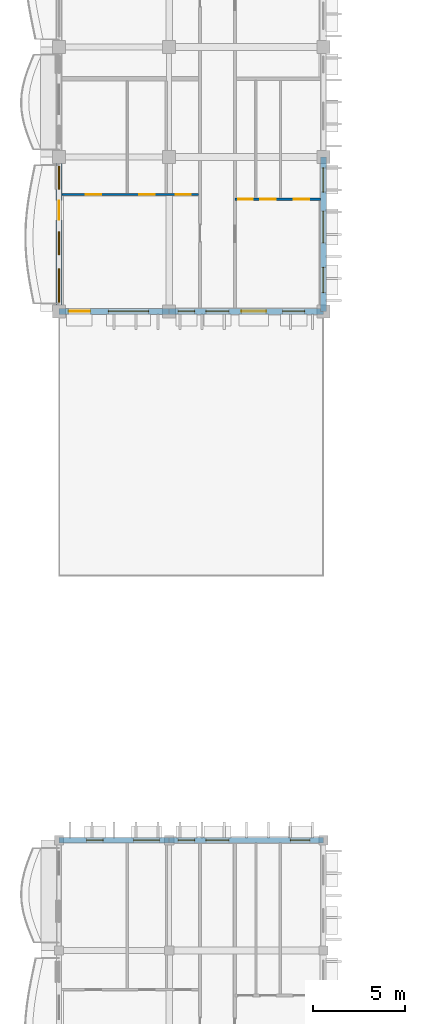
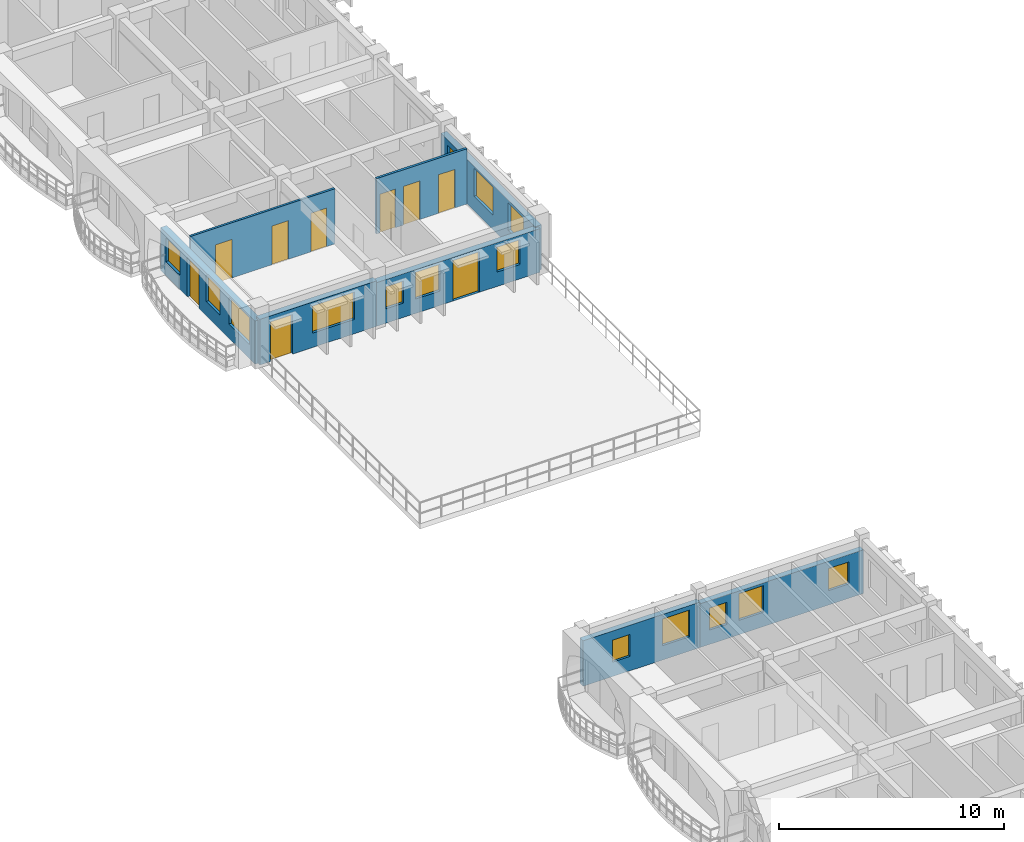
# One storey, part 19 of 66: 15 windows, 9 doors, 8 walls, 24 openings.
"""IFC4 building model written with IfcOpenShell, lengths in metres."""

from ifc_helpers import new_model, si_unit, direction, frame, frame_2d, origin, place, context, subcontext, project, spatial, rectangle, extrude, material, layer, layer_set, type_object, element, fill, save


model = new_model("IFC4")

# Units and contexts
model_context = context("Model", 3, precision=1e-05, world=origin(), true_north=direction((0.0, 1.0)))
body_context = subcontext(model_context, "Body", "Model", "MODEL_VIEW")
ifc_project = project(units=[si_unit("LENGTHUNIT", "METRE"), si_unit("AREAUNIT", "SQUARE_METRE"), si_unit("VOLUMEUNIT", "CUBIC_METRE"), si_unit("PLANEANGLEUNIT", "RADIAN"), si_unit("MASSUNIT", "GRAM", prefix="KILO"), si_unit("THERMODYNAMICTEMPERATUREUNIT", "KELVIN")], contexts=[model_context])

# Site, building, storey
site_placement = place(None, origin())
site = spatial("IfcSite", under=ifc_project, at=site_placement, CompositionType="ELEMENT")
building_placement = place(site_placement, origin())
building = spatial("IfcBuilding", under=site, at=building_placement, Name="Thalorik Housing Commons", CompositionType="ELEMENT")
storey_placement = place(building_placement, frame((0.0, 0.0, 21.300048828125)))
storey = spatial("IfcBuildingStorey", under=building, at=storey_placement, Name="L06", CompositionType="ELEMENT", Elevation=21.300048828125)

# Wall, openings, windows
ifc_material_1 = material(Name="White precast concrete C40/50", Category="concrete")
ifc_layer_1 = layer(ifc_material_1, 0.2900390625, Name="White precast concrete C40/50", Category="concrete")
ifc_layer_set_1 = layer_set([ifc_layer_1], Name="White precast concrete C40/50")
wall_type_1 = type_object("IfcWallType", Name="ARC-WAL-EXT-290", PredefinedType="STANDARD", material=ifc_layer_set_1)
wall_1_placement = place(storey_placement, frame((22.800048828125, 57.60009765625, 0.0), z_axis=(0.0, 0.0, 1.0), x_axis=(-1.0, 0.0, 0.0)))
wall_1 = element("IfcWall", 1, at=wall_1_placement, inside=storey, type_object=wall_type_1, Name="L06 Exterior Wall WAL-EXT-L06-C-0994", PredefinedType="STANDARD", context=body_context, shape_type="SweptSolid", body=[
    extrude(rectangle(XDim=8.400146484375, YDim=0.2900390625, at=frame_2d((4.2001953125, 0.0))), origin(), (0.0, 0.0, 1.0), 2.375),
])
opening_1_placement = place(wall_1_placement, frame((0.742431640625, 0.0, 0.780029296875)))
opening_1 = element("IfcOpeningElement", 2, at=opening_1_placement, cuts=wall_1, Name="Opening W-44", PredefinedType="OPENING", context=body_context, shape_type="SweptSolid", body=[
    extrude(rectangle(XDim=1.050048828125, YDim=1.199951171875, at=frame_2d((0.52490234375, 0.60009765625))), frame((0.0, 0.155029296875, 0.0), z_axis=(0.0, -1.0, 0.0), x_axis=(1.0, 0.0, 0.0)), (0.0, 0.0, 1.0), 0.31005859375),
])
opening_2_placement = place(wall_1_placement, frame((5.14501953125, 0.0, 0.780029296875)))
opening_2 = element("IfcOpeningElement", 3, at=opening_2_placement, cuts=wall_1, Name="Opening W-47", PredefinedType="OPENING", context=body_context, shape_type="SweptSolid", body=[
    extrude(rectangle(XDim=1.25, YDim=1.449951171875, at=frame_2d((0.625, 0.72509765625))), frame((0.0, 0.155029296875, 0.0), z_axis=(0.0, -1.0, 0.0), x_axis=(1.0, 0.0, 0.0)), (0.0, 0.0, 1.0), 0.31005859375),
])
opening_3_placement = place(wall_1_placement, frame((7.014892578125, 0.0, 0.780029296875)))
opening_3 = element("IfcOpeningElement", 4, at=opening_3_placement, cuts=wall_1, Name="Opening W-01", PredefinedType="OPENING", context=body_context, shape_type="SweptSolid", body=[
    extrude(rectangle(XDim=0.89990234375, YDim=1.199951171875, at=frame_2d((0.449951171875, 0.60009765625))), frame((0.0, 0.155029296875, 0.0), z_axis=(0.0, -1.0, 0.0), x_axis=(1.0, 0.0, 0.0)), (0.0, 0.0, 1.0), 0.31005859375),
])
ifc_material_2 = material(Name="Anodised aluminium and solar-control low-E glass", Category="aluminium")
window_type_1 = type_object("IfcWindowType", Name="ARC-WIN-01", PartitioningType="SINGLE_PANEL", PredefinedType="WINDOW", material=ifc_material_2)
window_1_placement = place(opening_3_placement, origin())
window_1 = element("IfcWindow", 5, at=window_1_placement, inside=storey, type_object=window_type_1, Name="L06 Facade Window 1839", OverallHeight=1.199951171875, OverallWidth=0.89990234375, PartitioningType="SINGLE_PANEL", PredefinedType="WINDOW", context=body_context, shape_type="SweptSolid", body=[
    extrude(rectangle(XDim=0.89990234375, YDim=1.199951171875, at=frame_2d((0.449951171875, 0.60009765625))), frame((0.0, 0.030029296875, 0.0), z_axis=(0.0, -1.0, 0.0), x_axis=(1.0, 0.0, 0.0)), (0.0, 0.0, 1.0), 0.06005859375),
])
fill(opening_3, window_1)
window_type_2 = type_object("IfcWindowType", Name="ARC-WIN-44", PartitioningType="SINGLE_PANEL", PredefinedType="WINDOW", material=ifc_material_2)
window_2_placement = place(opening_1_placement, origin())
window_2 = element("IfcWindow", 6, at=window_2_placement, inside=storey, type_object=window_type_2, Name="L06 Facade Window 1837", OverallHeight=1.199951171875, OverallWidth=1.050048828125, PartitioningType="SINGLE_PANEL", PredefinedType="WINDOW", context=body_context, shape_type="SweptSolid", body=[
    extrude(rectangle(XDim=1.050048828125, YDim=1.199951171875, at=frame_2d((0.52490234375, 0.60009765625))), frame((0.0, 0.030029296875, 0.0), z_axis=(0.0, -1.0, 0.0), x_axis=(1.0, 0.0, 0.0)), (0.0, 0.0, 1.0), 0.06005859375),
])
fill(opening_1, window_2)
window_type_3 = type_object("IfcWindowType", Name="ARC-WIN-47", PartitioningType="SINGLE_PANEL", PredefinedType="WINDOW", material=ifc_material_2)
window_3_placement = place(opening_2_placement, origin())
window_3 = element("IfcWindow", 7, at=window_3_placement, inside=storey, type_object=window_type_3, Name="L06 Facade Window 1838", OverallHeight=1.449951171875, OverallWidth=1.25, PartitioningType="SINGLE_PANEL", PredefinedType="WINDOW", context=body_context, shape_type="SweptSolid", body=[
    extrude(rectangle(XDim=1.25, YDim=1.449951171875, at=frame_2d((0.625, 0.72509765625))), frame((0.0, 0.030029296875, 0.0), z_axis=(0.0, -1.0, 0.0), x_axis=(1.0, 0.0, 0.0)), (0.0, 0.0, 1.0), 0.06005859375),
])
fill(opening_2, window_3)

wall_2_placement = place(storey_placement, frame((14.39990234375, 57.60009765625, 0.0), z_axis=(0.0, 0.0, 1.0), x_axis=(-1.0, 0.0, 0.0)))
wall_2 = element("IfcWall", 8, at=wall_2_placement, inside=storey, type_object=wall_type_1, Name="L06 Exterior Wall WAL-EXT-L06-C-0995", PredefinedType="STANDARD", context=body_context, shape_type="SweptSolid", body=[
    extrude(rectangle(XDim=6.0, YDim=0.2900390625, at=frame_2d((3.0, 0.0))), origin(), (0.0, 0.0, 1.0), 2.474853515625),
])
opening_4_placement = place(wall_2_placement, frame((0.5361328125, 0.0, 0.780029296875)))
opening_4 = element("IfcOpeningElement", 9, at=opening_4_placement, cuts=wall_2, Name="Opening W-08", PredefinedType="OPENING", context=body_context, shape_type="SweptSolid", body=[
    extrude(rectangle(XDim=1.39990234375, YDim=1.449951171875, at=frame_2d((0.699951171875, 0.72509765625))), frame((0.0, 0.155029296875, 0.0), z_axis=(0.0, -1.0, 0.0), x_axis=(1.0, 0.0, 0.0)), (0.0, 0.0, 1.0), 0.31005859375),
])
opening_5_placement = place(wall_2_placement, frame((3.59619140625, 0.0, 0.780029296875)))
opening_5 = element("IfcOpeningElement", 10, at=opening_5_placement, cuts=wall_2, Name="Opening W-01", PredefinedType="OPENING", context=body_context, shape_type="SweptSolid", body=[
    extrude(rectangle(XDim=0.89990234375, YDim=1.199951171875, at=frame_2d((0.449951171875, 0.60009765625))), frame((0.0, 0.155029296875, 0.0), z_axis=(0.0, -1.0, 0.0), x_axis=(1.0, 0.0, 0.0)), (0.0, 0.0, 1.0), 0.31005859375),
])
window_4_placement = place(opening_5_placement, origin())
window_4 = element("IfcWindow", 11, at=window_4_placement, inside=storey, type_object=window_type_1, Name="L06 Facade Window 1841", OverallHeight=1.199951171875, OverallWidth=0.89990234375, PartitioningType="SINGLE_PANEL", PredefinedType="WINDOW", context=body_context, shape_type="SweptSolid", body=[
    extrude(rectangle(XDim=0.89990234375, YDim=1.199951171875, at=frame_2d((0.449951171875, 0.60009765625))), frame((0.0, 0.030029296875, 0.0), z_axis=(0.0, -1.0, 0.0), x_axis=(1.0, 0.0, 0.0)), (0.0, 0.0, 1.0), 0.06005859375),
])
fill(opening_5, window_4)
window_type_4 = type_object("IfcWindowType", Name="ARC-WIN-08", PartitioningType="SINGLE_PANEL", PredefinedType="WINDOW", material=ifc_material_2)
window_5_placement = place(opening_4_placement, origin())
window_5 = element("IfcWindow", 12, at=window_5_placement, inside=storey, type_object=window_type_4, Name="L06 Facade Window 1840", OverallHeight=1.449951171875, OverallWidth=1.39990234375, PartitioningType="SINGLE_PANEL", PredefinedType="WINDOW", context=body_context, shape_type="SweptSolid", body=[
    extrude(rectangle(XDim=1.39990234375, YDim=1.449951171875, at=frame_2d((0.699951171875, 0.72509765625))), frame((0.0, 0.030029296875, 0.0), z_axis=(0.0, -1.0, 0.0), x_axis=(1.0, 0.0, 0.0)), (0.0, 0.0, 1.0), 0.06005859375),
])
fill(opening_4, window_5)

# Wall, openings, door, windows
ifc_layer_2 = layer(ifc_material_1, 0.320068359375, Name="White precast concrete C40/50", Category="concrete")
ifc_layer_set_2 = layer_set([ifc_layer_2], Name="White precast concrete C40/50")
wall_type_2 = type_object("IfcWallType", Name="ARC-WAL-EXT-320", PredefinedType="STANDARD", material=ifc_layer_set_2)
wall_3_placement = place(storey_placement, frame((8.39990234375, 94.800048828125, 0.0), z_axis=(0.0, 0.0, 1.0), x_axis=(0.0, -1.0, 0.0)))
wall_3 = element("IfcWall", 13, at=wall_3_placement, inside=storey, type_object=wall_type_2, Name="L06 Exterior Wall WAL-EXT-L06-A-0185", PredefinedType="STANDARD", context=body_context, shape_type="SweptSolid", body=[
    extrude(rectangle(XDim=8.400146484375, YDim=0.320068359375, at=frame_2d((4.2001953125, 0.0))), origin(), (0.0, 0.0, 1.0), 2.344970703125),
])
opening_6_placement = place(wall_3_placement, frame((2.364990234375, 0.0, 0.0)))
opening_6 = element("IfcOpeningElement", 14, at=opening_6_placement, cuts=wall_3, Name="Opening ED-0058", PredefinedType="OPENING", context=body_context, shape_type="SweptSolid", body=[
    extrude(rectangle(XDim=1.050048828125, YDim=2.14990234375, at=frame_2d((0.52490234375, 1.074951171875))), frame((0.0, 0.169921875, 0.0), z_axis=(0.0, -1.0, 0.0), x_axis=(1.0, 0.0, 0.0)), (0.0, 0.0, 1.0), 0.340087890625),
])
opening_7_placement = place(wall_3_placement, frame((0.487548828125, 0.0, 0.780029296875)))
opening_7 = element("IfcOpeningElement", 15, at=opening_7_placement, cuts=wall_3, Name="Opening W-46", PredefinedType="OPENING", context=body_context, shape_type="SweptSolid", body=[
    extrude(rectangle(XDim=1.25, YDim=1.300048828125, at=frame_2d((0.625, 0.64990234375))), frame((0.0, 0.169921875, 0.0), z_axis=(0.0, -1.0, 0.0), x_axis=(1.0, 0.0, 0.0)), (0.0, 0.0, 1.0), 0.340087890625),
])
opening_8_placement = place(wall_3_placement, frame((4.061279296875, 0.0, 0.780029296875)))
opening_8 = element("IfcOpeningElement", 16, at=opening_8_placement, cuts=wall_3, Name="Opening W-47", PredefinedType="OPENING", context=body_context, shape_type="SweptSolid", body=[
    extrude(rectangle(XDim=1.25, YDim=1.449951171875, at=frame_2d((0.625, 0.72509765625))), frame((0.0, 0.169921875, 0.0), z_axis=(0.0, -1.0, 0.0), x_axis=(1.0, 0.0, 0.0)), (0.0, 0.0, 1.0), 0.340087890625),
])
opening_9_placement = place(wall_3_placement, frame((6.07861328125, 0.0, 0.780029296875)))
opening_9 = element("IfcOpeningElement", 17, at=opening_9_placement, cuts=wall_3, Name="Opening W-58", PredefinedType="OPENING", context=body_context, shape_type="SweptSolid", body=[
    extrude(rectangle(XDim=1.820068359375, YDim=1.4599609375, at=frame_2d((0.91015625, 0.72998046875))), frame((0.0, 0.169921875, 0.0), z_axis=(0.0, -1.0, 0.0), x_axis=(1.0, 0.0, 0.0)), (0.0, 0.0, 1.0), 0.340087890625),
])
ifc_material_3 = material(Name="Anodised aluminium and laminated safety glass", Category="aluminium")
door_type_1 = type_object("IfcDoorType", Name="ARC-DR-BAL-1050", OperationType="NOTDEFINED", PredefinedType="DOOR", material=ifc_material_3)
door_1_placement = place(opening_6_placement, frame((1.050048828125, 0.0, 0.0), z_axis=(0.0, 0.0, 1.0), x_axis=(-1.0, 0.0, 0.0)))
door_1 = element("IfcDoor", 18, at=door_1_placement, inside=storey, type_object=door_type_1, Name="L06 Block A Balcony Glazed Door", OperationType="SINGLE_SWING_LEFT", OverallHeight=2.14990234375, OverallWidth=1.050048828125, PredefinedType="DOOR", context=body_context, shape_type="SweptSolid", body=[
    extrude(rectangle(XDim=1.050048828125, YDim=2.14990234375, at=frame_2d((0.52490234375, 1.074951171875))), frame((0.0, 0.02490234375, 0.0), z_axis=(0.0, -1.0, 0.0), x_axis=(1.0, 0.0, 0.0)), (0.0, 0.0, 1.0), 0.050048828125),
])
fill(opening_6, door_1)
window_type_5 = type_object("IfcWindowType", Name="ARC-WIN-46", PartitioningType="SINGLE_PANEL", PredefinedType="WINDOW", material=ifc_material_2)
window_6_placement = place(opening_7_placement, origin())
window_6 = element("IfcWindow", 19, at=window_6_placement, inside=storey, type_object=window_type_5, Name="L06 Facade Window 330", OverallHeight=1.300048828125, OverallWidth=1.25, PartitioningType="SINGLE_PANEL", PredefinedType="WINDOW", context=body_context, shape_type="SweptSolid", body=[
    extrude(rectangle(XDim=1.25, YDim=1.300048828125, at=frame_2d((0.625, 0.64990234375))), frame((0.0, 0.030029296875, 0.0), z_axis=(0.0, -1.0, 0.0), x_axis=(1.0, 0.0, 0.0)), (0.0, 0.0, 1.0), 0.06005859375),
])
fill(opening_7, window_6)
window_7_placement = place(opening_8_placement, origin())
window_7 = element("IfcWindow", 20, at=window_7_placement, inside=storey, type_object=window_type_3, Name="L06 Facade Window 331", OverallHeight=1.449951171875, OverallWidth=1.25, PartitioningType="SINGLE_PANEL", PredefinedType="WINDOW", context=body_context, shape_type="SweptSolid", body=[
    extrude(rectangle(XDim=1.25, YDim=1.449951171875, at=frame_2d((0.625, 0.72509765625))), frame((0.0, 0.030029296875, 0.0), z_axis=(0.0, -1.0, 0.0), x_axis=(1.0, 0.0, 0.0)), (0.0, 0.0, 1.0), 0.06005859375),
])
fill(opening_8, window_7)
window_type_6 = type_object("IfcWindowType", Name="ARC-WIN-58", PartitioningType="DOUBLE_PANEL_VERTICAL", PredefinedType="WINDOW", material=ifc_material_2)
window_8_placement = place(opening_9_placement, origin())
window_8 = element("IfcWindow", 21, at=window_8_placement, inside=storey, type_object=window_type_6, Name="L06 Facade Window 332", OverallHeight=1.4599609375, OverallWidth=1.820068359375, PartitioningType="DOUBLE_PANEL_VERTICAL", PredefinedType="WINDOW", context=body_context, shape_type="SweptSolid", body=[
    extrude(rectangle(XDim=1.820068359375, YDim=1.4599609375, at=frame_2d((0.91015625, 0.72998046875))), frame((0.0, 0.030029296875, 0.0), z_axis=(0.0, -1.0, 0.0), x_axis=(1.0, 0.0, 0.0)), (0.0, 0.0, 1.0), 0.06005859375),
])
fill(opening_9, window_8)

# Wall, openings, door, window
wall_4_placement = place(storey_placement, frame((8.39990234375, 86.39990234375, 0.0), z_axis=(0.0, 0.0, 1.0), x_axis=(1.0, 0.0, 0.0)))
wall_4 = element("IfcWall", 22, at=wall_4_placement, inside=storey, type_object=wall_type_2, Name="L06 Exterior Wall WAL-EXT-L06-A-0186", PredefinedType="STANDARD", context=body_context, shape_type="SweptSolid", body=[
    extrude(rectangle(XDim=6.0, YDim=0.320068359375, at=frame_2d((3.0, 0.0))), origin(), (0.0, 0.0, 1.0), 2.474853515625),
])
opening_10_placement = place(wall_4_placement, frame((0.5400390625, 0.0, 0.0)))
opening_10 = element("IfcOpeningElement", 23, at=opening_10_placement, cuts=wall_4, Name="Opening ED-0059", PredefinedType="OPENING", context=body_context, shape_type="SweptSolid", body=[
    extrude(rectangle(XDim=1.14990234375, YDim=2.14990234375, at=frame_2d((0.574951171875, 1.074951171875))), frame((0.0, 0.169921875, 0.0), z_axis=(0.0, -1.0, 0.0), x_axis=(1.0, 0.0, 0.0)), (0.0, 0.0, 1.0), 0.340087890625),
])
opening_11_placement = place(wall_4_placement, frame((2.695068359375, 0.0, 0.780029296875)))
opening_11 = element("IfcOpeningElement", 24, at=opening_11_placement, cuts=wall_4, Name="Opening W-65", PredefinedType="OPENING", context=body_context, shape_type="SweptSolid", body=[
    extrude(rectangle(XDim=2.179931640625, YDim=1.47998046875, at=frame_2d((1.08984375, 0.739990234375))), frame((0.0, 0.169921875, 0.0), z_axis=(0.0, -1.0, 0.0), x_axis=(1.0, 0.0, 0.0)), (0.0, 0.0, 1.0), 0.340087890625),
])
door_type_2 = type_object("IfcDoorType", Name="ARC-DR-TERR-1150", OperationType="NOTDEFINED", PredefinedType="DOOR", material=ifc_material_3)
door_2_placement = place(opening_10_placement, frame((1.14990234375, 0.0, 0.0), z_axis=(0.0, 0.0, 1.0), x_axis=(-1.0, 0.0, 0.0)))
door_2 = element("IfcDoor", 25, at=door_2_placement, inside=storey, type_object=door_type_2, Name="L06 Block A L06 South Sky-Garden Terrace Access Door", OperationType="SINGLE_SWING_RIGHT", OverallHeight=2.14990234375, OverallWidth=1.14990234375, PredefinedType="DOOR", context=body_context, shape_type="SweptSolid", body=[
    extrude(rectangle(XDim=1.14990234375, YDim=2.14990234375, at=frame_2d((0.574951171875, 1.074951171875))), frame((0.0, 0.02490234375, 0.0), z_axis=(0.0, -1.0, 0.0), x_axis=(1.0, 0.0, 0.0)), (0.0, 0.0, 1.0), 0.050048828125),
])
fill(opening_10, door_2)
window_type_7 = type_object("IfcWindowType", Name="ARC-WIN-65", PartitioningType="DOUBLE_PANEL_VERTICAL", PredefinedType="WINDOW", material=ifc_material_2)
window_9_placement = place(opening_11_placement, origin())
window_9 = element("IfcWindow", 26, at=window_9_placement, inside=storey, type_object=window_type_7, Name="L06 Facade Window 333", OverallHeight=1.47998046875, OverallWidth=2.179931640625, PartitioningType="DOUBLE_PANEL_VERTICAL", PredefinedType="WINDOW", context=body_context, shape_type="SweptSolid", body=[
    extrude(rectangle(XDim=2.179931640625, YDim=1.47998046875, at=frame_2d((1.08984375, 0.739990234375))), frame((0.0, 0.030029296875, 0.0), z_axis=(0.0, -1.0, 0.0), x_axis=(1.0, 0.0, 0.0)), (0.0, 0.0, 1.0), 0.06005859375),
])
fill(opening_11, window_9)

# Wall, openings, door, windows
wall_5_placement = place(storey_placement, frame((14.39990234375, 86.39990234375, 0.0), z_axis=(0.0, 0.0, 1.0), x_axis=(1.0, 0.0, 0.0)))
wall_5 = element("IfcWall", 27, at=wall_5_placement, inside=storey, type_object=wall_type_2, Name="L06 Exterior Wall WAL-EXT-L06-A-0187", PredefinedType="STANDARD", context=body_context, shape_type="SweptSolid", body=[
    extrude(rectangle(XDim=8.400146484375, YDim=0.320068359375, at=frame_2d((4.2001953125, 0.0))), origin(), (0.0, 0.0, 1.0), 2.375),
])
opening_12_placement = place(wall_5_placement, frame((3.929931640625, 0.0, 0.0)))
opening_12 = element("IfcOpeningElement", 28, at=opening_12_placement, cuts=wall_5, Name="Opening ED-0060", PredefinedType="OPENING", context=body_context, shape_type="SweptSolid", body=[
    extrude(rectangle(XDim=1.35009765625, YDim=2.199951171875, at=frame_2d((0.675048828125, 1.10009765625))), frame((0.0, 0.169921875, 0.0), z_axis=(0.0, -1.0, 0.0), x_axis=(1.0, 0.0, 0.0)), (0.0, 0.0, 1.0), 0.340087890625),
])
opening_13_placement = place(wall_5_placement, frame((6.179931640625, 0.0, 0.780029296875)))
opening_13 = element("IfcOpeningElement", 29, at=opening_13_placement, cuts=wall_5, Name="Opening W-04", PredefinedType="OPENING", context=body_context, shape_type="SweptSolid", body=[
    extrude(rectangle(XDim=1.199951171875, YDim=1.35009765625, at=frame_2d((0.60009765625, 0.675048828125))), frame((0.0, 0.169921875, 0.0), z_axis=(0.0, -1.0, 0.0), x_axis=(1.0, 0.0, 0.0)), (0.0, 0.0, 1.0), 0.340087890625),
])
opening_14_placement = place(wall_5_placement, frame((0.485107421875, 0.0, 0.780029296875)))
opening_14 = element("IfcOpeningElement", 30, at=opening_14_placement, cuts=wall_5, Name="Opening W-01", PredefinedType="OPENING", context=body_context, shape_type="SweptSolid", body=[
    extrude(rectangle(XDim=0.89990234375, YDim=1.199951171875, at=frame_2d((0.449951171875, 0.60009765625))), frame((0.0, 0.169921875, 0.0), z_axis=(0.0, -1.0, 0.0), x_axis=(1.0, 0.0, 0.0)), (0.0, 0.0, 1.0), 0.340087890625),
])
opening_15_placement = place(wall_5_placement, frame((2.0048828125, 0.0, 0.780029296875)))
opening_15 = element("IfcOpeningElement", 31, at=opening_15_placement, cuts=wall_5, Name="Opening W-47", PredefinedType="OPENING", context=body_context, shape_type="SweptSolid", body=[
    extrude(rectangle(XDim=1.25, YDim=1.449951171875, at=frame_2d((0.625, 0.72509765625))), frame((0.0, 0.169921875, 0.0), z_axis=(0.0, -1.0, 0.0), x_axis=(1.0, 0.0, 0.0)), (0.0, 0.0, 1.0), 0.340087890625),
])
door_type_3 = type_object("IfcDoorType", Name="ARC-DR-TERR-1350", OperationType="NOTDEFINED", PredefinedType="DOOR", material=ifc_material_3)
door_3_placement = place(opening_12_placement, frame((1.35009765625, 0.0, 0.0), z_axis=(0.0, 0.0, 1.0), x_axis=(-1.0, 0.0, 0.0)))
door_3 = element("IfcDoor", 32, at=door_3_placement, inside=storey, type_object=door_type_3, Name="L06 Block A L06 South Sky-Garden Terrace Access Door", OperationType="SINGLE_SWING_LEFT", OverallHeight=2.199951171875, OverallWidth=1.35009765625, PredefinedType="DOOR", context=body_context, shape_type="SweptSolid", body=[
    extrude(rectangle(XDim=1.35009765625, YDim=2.199951171875, at=frame_2d((0.675048828125, 1.10009765625))), frame((0.0, 0.02490234375, 0.0), z_axis=(0.0, -1.0, 0.0), x_axis=(1.0, 0.0, 0.0)), (0.0, 0.0, 1.0), 0.050048828125),
])
fill(opening_12, door_3)
window_10_placement = place(opening_14_placement, origin())
window_10 = element("IfcWindow", 33, at=window_10_placement, inside=storey, type_object=window_type_1, Name="L06 Facade Window 335", OverallHeight=1.199951171875, OverallWidth=0.89990234375, PartitioningType="SINGLE_PANEL", PredefinedType="WINDOW", context=body_context, shape_type="SweptSolid", body=[
    extrude(rectangle(XDim=0.89990234375, YDim=1.199951171875, at=frame_2d((0.449951171875, 0.60009765625))), frame((0.0, 0.030029296875, 0.0), z_axis=(0.0, -1.0, 0.0), x_axis=(1.0, 0.0, 0.0)), (0.0, 0.0, 1.0), 0.06005859375),
])
fill(opening_14, window_10)
window_type_8 = type_object("IfcWindowType", Name="ARC-WIN-04", PartitioningType="SINGLE_PANEL", PredefinedType="WINDOW", material=ifc_material_2)
window_11_placement = place(opening_13_placement, origin())
window_11 = element("IfcWindow", 34, at=window_11_placement, inside=storey, type_object=window_type_8, Name="L06 Facade Window 334", OverallHeight=1.35009765625, OverallWidth=1.199951171875, PartitioningType="SINGLE_PANEL", PredefinedType="WINDOW", context=body_context, shape_type="SweptSolid", body=[
    extrude(rectangle(XDim=1.199951171875, YDim=1.35009765625, at=frame_2d((0.60009765625, 0.675048828125))), frame((0.0, 0.030029296875, 0.0), z_axis=(0.0, -1.0, 0.0), x_axis=(1.0, 0.0, 0.0)), (0.0, 0.0, 1.0), 0.06005859375),
])
fill(opening_13, window_11)
window_12_placement = place(opening_15_placement, origin())
window_12 = element("IfcWindow", 35, at=window_12_placement, inside=storey, type_object=window_type_3, Name="L06 Facade Window 336", OverallHeight=1.449951171875, OverallWidth=1.25, PartitioningType="SINGLE_PANEL", PredefinedType="WINDOW", context=body_context, shape_type="SweptSolid", body=[
    extrude(rectangle(XDim=1.25, YDim=1.449951171875, at=frame_2d((0.625, 0.72509765625))), frame((0.0, 0.030029296875, 0.0), z_axis=(0.0, -1.0, 0.0), x_axis=(1.0, 0.0, 0.0)), (0.0, 0.0, 1.0), 0.06005859375),
])
fill(opening_15, window_12)

# Wall, openings, windows
wall_6_placement = place(storey_placement, frame((22.800048828125, 86.39990234375, 0.0), z_axis=(0.0, 0.0, 1.0), x_axis=(0.0, 1.0, 0.0)))
wall_6 = element("IfcWall", 36, at=wall_6_placement, inside=storey, type_object=wall_type_2, Name="L06 Exterior Wall WAL-EXT-L06-A-0188", PredefinedType="STANDARD", context=body_context, shape_type="SweptSolid", body=[
    extrude(rectangle(XDim=8.400146484375, YDim=0.320068359375, at=frame_2d((4.2001953125, 0.0))), origin(), (0.0, 0.0, 1.0), 2.425048828125),
])
opening_16_placement = place(wall_6_placement, frame((1.015625, 0.0, 0.780029296875)))
opening_16 = element("IfcOpeningElement", 37, at=opening_16_placement, cuts=wall_6, Name="Opening W-49", PredefinedType="OPENING", context=body_context, shape_type="SweptSolid", body=[
    extrude(rectangle(XDim=1.3798828125, YDim=1.47998046875, at=frame_2d((0.68994140625, 0.739990234375))), frame((0.0, 0.169921875, 0.0), z_axis=(0.0, -1.0, 0.0), x_axis=(1.0, 0.0, 0.0)), (0.0, 0.0, 1.0), 0.340087890625),
])
opening_17_placement = place(wall_6_placement, frame((3.737060546875, 0.0, 0.780029296875)))
opening_17 = element("IfcOpeningElement", 38, at=opening_17_placement, cuts=wall_6, Name="Opening W-56", PredefinedType="OPENING", context=body_context, shape_type="SweptSolid", body=[
    extrude(rectangle(XDim=1.719970703125, YDim=1.52001953125, at=frame_2d((0.85986328125, 0.760009765625))), frame((0.0, 0.169921875, 0.0), z_axis=(0.0, -1.0, 0.0), x_axis=(1.0, 0.0, 0.0)), (0.0, 0.0, 1.0), 0.340087890625),
])
opening_18_placement = place(wall_6_placement, frame((6.50146484375, 0.0, 0.780029296875)))
opening_18 = element("IfcOpeningElement", 39, at=opening_18_placement, cuts=wall_6, Name="Opening W-48", PredefinedType="OPENING", context=body_context, shape_type="SweptSolid", body=[
    extrude(rectangle(XDim=1.320068359375, YDim=1.35009765625, at=frame_2d((0.66015625, 0.675048828125))), frame((0.0, 0.169921875, 0.0), z_axis=(0.0, -1.0, 0.0), x_axis=(1.0, 0.0, 0.0)), (0.0, 0.0, 1.0), 0.340087890625),
])
window_type_9 = type_object("IfcWindowType", Name="ARC-WIN-48", PartitioningType="SINGLE_PANEL", PredefinedType="WINDOW", material=ifc_material_2)
window_13_placement = place(opening_18_placement, origin())
window_13 = element("IfcWindow", 40, at=window_13_placement, inside=storey, type_object=window_type_9, Name="L06 Facade Window 339", OverallHeight=1.35009765625, OverallWidth=1.320068359375, PartitioningType="SINGLE_PANEL", PredefinedType="WINDOW", context=body_context, shape_type="SweptSolid", body=[
    extrude(rectangle(XDim=1.320068359375, YDim=1.35009765625, at=frame_2d((0.66015625, 0.675048828125))), frame((0.0, 0.030029296875, 0.0), z_axis=(0.0, -1.0, 0.0), x_axis=(1.0, 0.0, 0.0)), (0.0, 0.0, 1.0), 0.06005859375),
])
fill(opening_18, window_13)
window_type_10 = type_object("IfcWindowType", Name="ARC-WIN-49", PartitioningType="SINGLE_PANEL", PredefinedType="WINDOW", material=ifc_material_2)
window_14_placement = place(opening_16_placement, origin())
window_14 = element("IfcWindow", 41, at=window_14_placement, inside=storey, type_object=window_type_10, Name="L06 Facade Window 337", OverallHeight=1.47998046875, OverallWidth=1.3798828125, PartitioningType="SINGLE_PANEL", PredefinedType="WINDOW", context=body_context, shape_type="SweptSolid", body=[
    extrude(rectangle(XDim=1.3798828125, YDim=1.47998046875, at=frame_2d((0.68994140625, 0.739990234375))), frame((0.0, 0.030029296875, 0.0), z_axis=(0.0, -1.0, 0.0), x_axis=(1.0, 0.0, 0.0)), (0.0, 0.0, 1.0), 0.06005859375),
])
fill(opening_16, window_14)
window_type_11 = type_object("IfcWindowType", Name="ARC-WIN-56", PartitioningType="DOUBLE_PANEL_VERTICAL", PredefinedType="WINDOW", material=ifc_material_2)
window_15_placement = place(opening_17_placement, origin())
window_15 = element("IfcWindow", 42, at=window_15_placement, inside=storey, type_object=window_type_11, Name="L06 Facade Window 338", OverallHeight=1.52001953125, OverallWidth=1.719970703125, PartitioningType="DOUBLE_PANEL_VERTICAL", PredefinedType="WINDOW", context=body_context, shape_type="SweptSolid", body=[
    extrude(rectangle(XDim=1.719970703125, YDim=1.52001953125, at=frame_2d((0.85986328125, 0.760009765625))), frame((0.0, 0.030029296875, 0.0), z_axis=(0.0, -1.0, 0.0), x_axis=(1.0, 0.0, 0.0)), (0.0, 0.0, 1.0), 0.06005859375),
])
fill(opening_17, window_15)

# Wall, openings, doors
ifc_material_4 = material(Name="Gypsum moisture-resistant partition", Category="masonry")
ifc_layer_3 = layer(ifc_material_4, 0.114990234375, Name="Gypsum moisture-resistant partition", Category="masonry")
ifc_layer_set_3 = layer_set([ifc_layer_3], Name="Gypsum moisture-resistant partition")
wall_type_3 = type_object("IfcWallType", Name="ARC-WAL-PART-115", PredefinedType="PARTITIONING", material=ifc_layer_set_3)
wall_7_placement = place(storey_placement, frame((8.56201171875, 92.764892578125, 0.0), z_axis=(0.0, 0.0, 1.0), x_axis=(1.0, 0.0, 0.0)))
wall_7 = element("IfcWall", 43, at=wall_7_placement, inside=storey, type_object=wall_type_3, Name="L06 Unit 1 Spine Partition", PredefinedType="PARTITIONING", context=body_context, shape_type="SweptSolid", body=[
    extrude(rectangle(XDim=7.43359375, YDim=0.114990234375, at=frame_2d((3.716796875, 0.0))), origin(), (0.0, 0.0, 1.0), 3.0),
])
opening_19_placement = place(wall_7_placement, frame((1.3017578125, 0.0, 0.0)))
opening_19 = element("IfcOpeningElement", 44, at=opening_19_placement, cuts=wall_7, Name="Opening ID-0669", PredefinedType="OPENING", context=body_context, shape_type="SweptSolid", body=[
    extrude(rectangle(XDim=0.85009765625, YDim=2.10009765625, at=frame_2d((0.425048828125, 1.050048828125))), frame((0.0, 0.0673828125, 0.0), z_axis=(0.0, -1.0, 0.0), x_axis=(1.0, 0.0, 0.0)), (0.0, 0.0, 1.0), 0.135009765625),
])
opening_20_placement = place(wall_7_placement, frame((4.197509765625, 0.0, 0.0)))
opening_20 = element("IfcOpeningElement", 45, at=opening_20_placement, cuts=wall_7, Name="Opening ID-0670", PredefinedType="OPENING", context=body_context, shape_type="SweptSolid", body=[
    extrude(rectangle(XDim=0.85009765625, YDim=2.10009765625, at=frame_2d((0.425048828125, 1.050048828125))), frame((0.0, 0.0673828125, 0.0), z_axis=(0.0, -1.0, 0.0), x_axis=(1.0, 0.0, 0.0)), (0.0, 0.0, 1.0), 0.135009765625),
])
opening_21_placement = place(wall_7_placement, frame((6.20361328125, 0.0, 0.0)))
opening_21 = element("IfcOpeningElement", 46, at=opening_21_placement, cuts=wall_7, Name="Opening ID-0671", PredefinedType="OPENING", context=body_context, shape_type="SweptSolid", body=[
    extrude(rectangle(XDim=0.800048828125, YDim=2.10009765625, at=frame_2d((0.39990234375, 1.050048828125))), frame((0.0, 0.0673828125, 0.0), z_axis=(0.0, -1.0, 0.0), x_axis=(1.0, 0.0, 0.0)), (0.0, 0.0, 1.0), 0.135009765625),
])
ifc_material_5 = material(Name="Moisture-resistant timber", Category="wood")
door_type_4 = type_object("IfcDoorType", Name="ARC-DR-INT-800", OperationType="NOTDEFINED", PredefinedType="DOOR", material=ifc_material_5)
door_4_placement = place(opening_21_placement, origin())
door_4 = element("IfcDoor", 47, at=door_4_placement, inside=storey, type_object=door_type_4, Name="L06 Flat Bathroom Door", OperationType="SINGLE_SWING_RIGHT", OverallHeight=2.10009765625, OverallWidth=0.800048828125, PredefinedType="DOOR", context=body_context, shape_type="SweptSolid", body=[
    extrude(rectangle(XDim=0.800048828125, YDim=2.10009765625, at=frame_2d((0.39990234375, 1.050048828125))), frame((0.0, 0.02490234375, 0.0), z_axis=(0.0, -1.0, 0.0), x_axis=(1.0, 0.0, 0.0)), (0.0, 0.0, 1.0), 0.050048828125),
])
fill(opening_21, door_4)
ifc_material_6 = material(Name="Engineered oak timber", Category="wood")
door_type_5 = type_object("IfcDoorType", Name="ARC-DR-INT-850", OperationType="NOTDEFINED", PredefinedType="DOOR", material=ifc_material_6)
door_5_placement = place(opening_19_placement, origin())
door_5 = element("IfcDoor", 48, at=door_5_placement, inside=storey, type_object=door_type_5, Name="L06 Master Bedroom Door", OperationType="SINGLE_SWING_RIGHT", OverallHeight=2.10009765625, OverallWidth=0.85009765625, PredefinedType="DOOR", context=body_context, shape_type="SweptSolid", body=[
    extrude(rectangle(XDim=0.85009765625, YDim=2.10009765625, at=frame_2d((0.425048828125, 1.050048828125))), frame((0.0, 0.02490234375, 0.0), z_axis=(0.0, -1.0, 0.0), x_axis=(1.0, 0.0, 0.0)), (0.0, 0.0, 1.0), 0.050048828125),
])
fill(opening_19, door_5)
door_6_placement = place(opening_20_placement, origin())
door_6 = element("IfcDoor", 49, at=door_6_placement, inside=storey, type_object=door_type_5, Name="L06 Eat-In Kitchen Door", OperationType="SINGLE_SWING_LEFT", OverallHeight=2.10009765625, OverallWidth=0.85009765625, PredefinedType="DOOR", context=body_context, shape_type="SweptSolid", body=[
    extrude(rectangle(XDim=0.85009765625, YDim=2.10009765625, at=frame_2d((0.425048828125, 1.050048828125))), frame((0.0, 0.02490234375, 0.0), z_axis=(0.0, -1.0, 0.0), x_axis=(1.0, 0.0, 0.0)), (0.0, 0.0, 1.0), 0.050048828125),
])
fill(opening_20, door_6)

ifc_material_7 = material(Name="Gypsum acoustic stud partition", Category="masonry")
ifc_layer_4 = layer(ifc_material_7, 0.125, Name="Gypsum acoustic stud partition", Category="masonry")
ifc_layer_set_4 = layer_set([ifc_layer_4], Name="Gypsum acoustic stud partition")
wall_type_4 = type_object("IfcWallType", Name="ARC-WAL-PART-125", PredefinedType="PARTITIONING", material=ifc_layer_set_4)
wall_8_placement = place(storey_placement, frame((17.97998046875, 92.5126953125, 0.0), z_axis=(0.0, 0.0, 1.0), x_axis=(1.0, 0.0, 0.0)))
wall_8 = element("IfcWall", 50, at=wall_8_placement, inside=storey, type_object=wall_type_4, Name="L06 Unit 1B Spine Partition", PredefinedType="PARTITIONING", context=body_context, shape_type="SweptSolid", body=[
    extrude(rectangle(XDim=4.657958984375, YDim=0.125, at=frame_2d((2.3291015625, 0.0))), origin(), (0.0, 0.0, 1.0), 3.0),
])
opening_22_placement = place(wall_8_placement, frame((0.171142578125, 0.0, 0.0)))
opening_22 = element("IfcOpeningElement", 51, at=opening_22_placement, cuts=wall_8, Name="Opening ID-0672", PredefinedType="OPENING", context=body_context, shape_type="SweptSolid", body=[
    extrude(rectangle(XDim=0.800048828125, YDim=2.10009765625, at=frame_2d((0.39990234375, 1.050048828125))), frame((0.0, 0.072509765625, 0.0), z_axis=(0.0, -1.0, 0.0), x_axis=(1.0, 0.0, 0.0)), (0.0, 0.0, 1.0), 0.14501953125),
])
opening_23_placement = place(wall_8_placement, frame((1.3837890625, 0.0, 0.0)))
opening_23 = element("IfcOpeningElement", 52, at=opening_23_placement, cuts=wall_8, Name="Opening ID-0673", PredefinedType="OPENING", context=body_context, shape_type="SweptSolid", body=[
    extrude(rectangle(XDim=0.85009765625, YDim=2.10009765625, at=frame_2d((0.425048828125, 1.050048828125))), frame((0.0, 0.072509765625, 0.0), z_axis=(0.0, -1.0, 0.0), x_axis=(1.0, 0.0, 0.0)), (0.0, 0.0, 1.0), 0.14501953125),
])
opening_24_placement = place(wall_8_placement, frame((3.192626953125, 0.0, 0.0)))
opening_24 = element("IfcOpeningElement", 53, at=opening_24_placement, cuts=wall_8, Name="Opening ID-0674", PredefinedType="OPENING", context=body_context, shape_type="SweptSolid", body=[
    extrude(rectangle(XDim=0.85009765625, YDim=2.10009765625, at=frame_2d((0.425048828125, 1.050048828125))), frame((0.0, 0.072509765625, 0.0), z_axis=(0.0, -1.0, 0.0), x_axis=(1.0, 0.0, 0.0)), (0.0, 0.0, 1.0), 0.14501953125),
])
door_7_placement = place(opening_22_placement, origin())
door_7 = element("IfcDoor", 54, at=door_7_placement, inside=storey, type_object=door_type_4, Name="L06 Flat Bathroom Door", OperationType="SINGLE_SWING_LEFT", OverallHeight=2.10009765625, OverallWidth=0.800048828125, PredefinedType="DOOR", context=body_context, shape_type="SweptSolid", body=[
    extrude(rectangle(XDim=0.800048828125, YDim=2.10009765625, at=frame_2d((0.39990234375, 1.050048828125))), frame((0.0, 0.02490234375, 0.0), z_axis=(0.0, -1.0, 0.0), x_axis=(1.0, 0.0, 0.0)), (0.0, 0.0, 1.0), 0.050048828125),
])
fill(opening_22, door_7)
door_8_placement = place(opening_23_placement, origin())
door_8 = element("IfcDoor", 55, at=door_8_placement, inside=storey, type_object=door_type_5, Name="L06 Galley Kitchen Door", OperationType="SINGLE_SWING_RIGHT", OverallHeight=2.10009765625, OverallWidth=0.85009765625, PredefinedType="DOOR", context=body_context, shape_type="SweptSolid", body=[
    extrude(rectangle(XDim=0.85009765625, YDim=2.10009765625, at=frame_2d((0.425048828125, 1.050048828125))), frame((0.0, 0.02490234375, 0.0), z_axis=(0.0, -1.0, 0.0), x_axis=(1.0, 0.0, 0.0)), (0.0, 0.0, 1.0), 0.050048828125),
])
fill(opening_23, door_8)
door_9_placement = place(opening_24_placement, origin())
door_9 = element("IfcDoor", 56, at=door_9_placement, inside=storey, type_object=door_type_5, Name="L06 Double Bedroom Door", OperationType="SINGLE_SWING_LEFT", OverallHeight=2.10009765625, OverallWidth=0.85009765625, PredefinedType="DOOR", context=body_context, shape_type="SweptSolid", body=[
    extrude(rectangle(XDim=0.85009765625, YDim=2.10009765625, at=frame_2d((0.425048828125, 1.050048828125))), frame((0.0, 0.02490234375, 0.0), z_axis=(0.0, -1.0, 0.0), x_axis=(1.0, 0.0, 0.0)), (0.0, 0.0, 1.0), 0.050048828125),
])
fill(opening_24, door_9)

save(model, "model.ifc")
